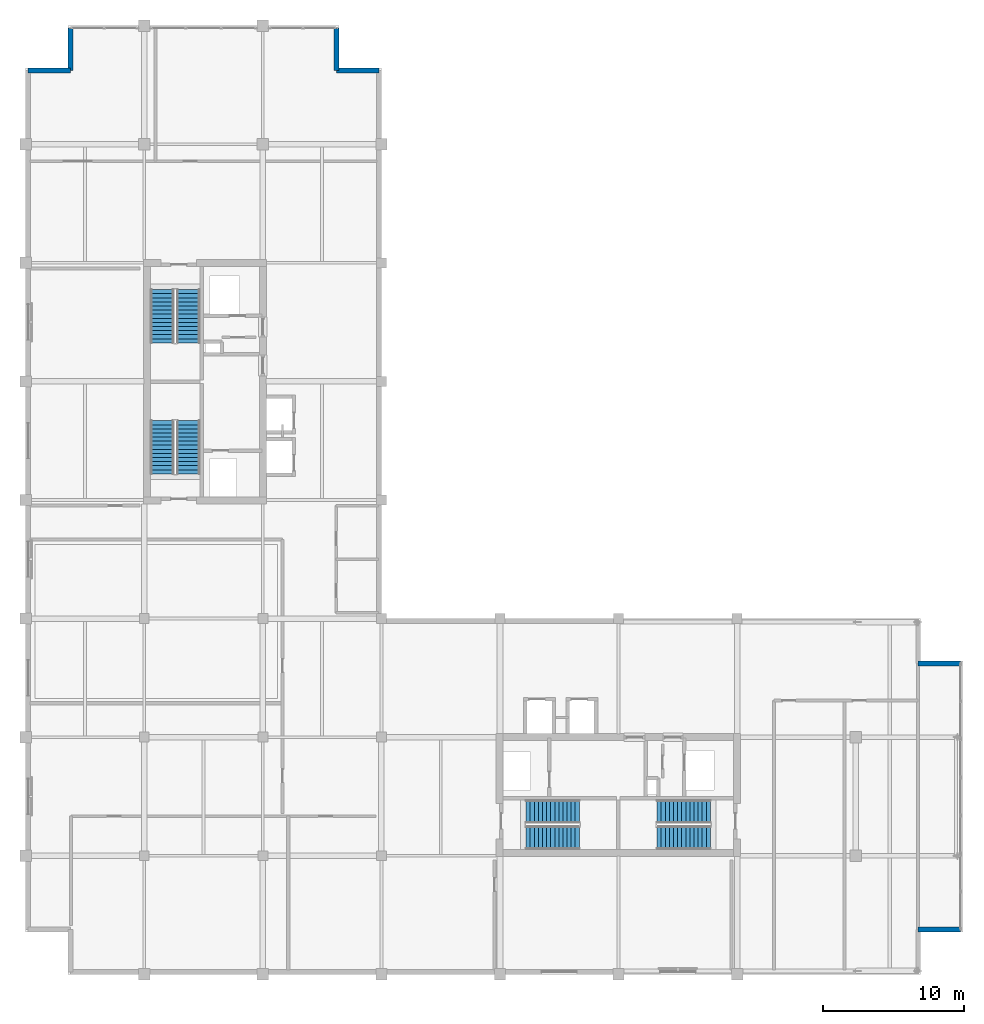
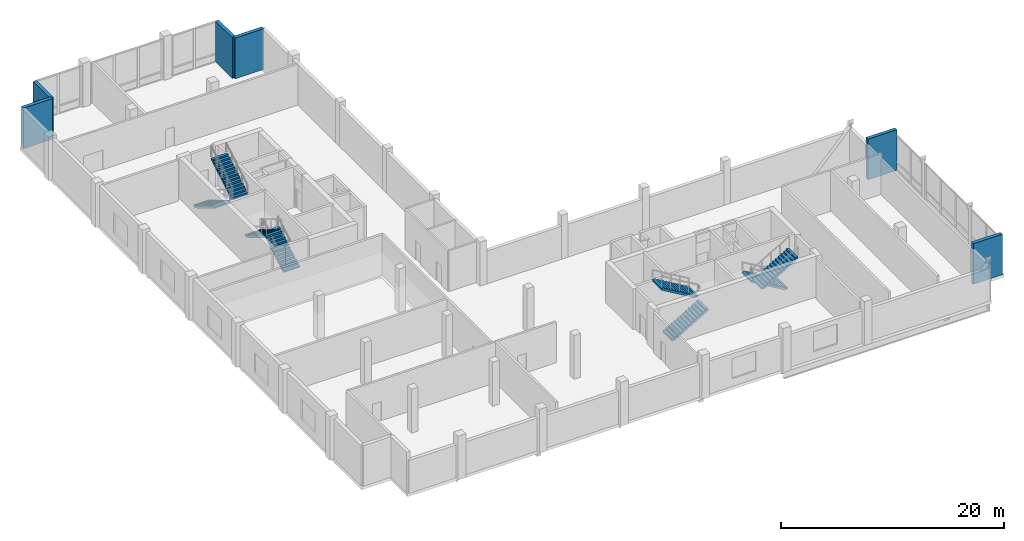
# One storey, part 14 of 18: 8 stair flights, 6 walls, 4 elements without a shape of their own.
"""IFC4 building model written with IfcOpenShell, lengths in metres."""

from ifc_helpers import new_model, si_unit, direction, frame, frame_2d, origin, place, context, subcontext, project, spatial, polyline, rectangle, outline, extrude, material, layer, layer_set, type_object, element, aggregate, save


model = new_model("IFC4")

# Units and contexts
model_context = context("Model", 3, precision=1e-05, world=origin(), true_north=direction((0.0, 1.0)))
body_context = subcontext(model_context, "Body", "Model", "MODEL_VIEW")
ifc_project = project(units=[si_unit("LENGTHUNIT", "METRE"), si_unit("AREAUNIT", "SQUARE_METRE"), si_unit("VOLUMEUNIT", "CUBIC_METRE"), si_unit("PLANEANGLEUNIT", "RADIAN"), si_unit("MASSUNIT", "GRAM", prefix="KILO")], contexts=[model_context])

# Site, building, storey
site_placement = place(None, origin())
site = spatial("IfcSite", under=ifc_project, at=site_placement, CompositionType="ELEMENT")
building_placement = place(site_placement, origin())
building = spatial("IfcBuilding", under=site, at=building_placement, Name="Koriwani Terraces Tower", CompositionType="ELEMENT")
storey_placement = place(building_placement, frame((0.0, 0.0, 363.800048828125)))
storey = spatial("IfcBuildingStorey", under=building, at=storey_placement, Name="L90", CompositionType="ELEMENT", Elevation=363.800048828125)

# Walls
ifc_material_1 = material(Name="Concrete C50/60", Category="concrete")
ifc_layer = layer(ifc_material_1, 0.35009765625, Name="Concrete C50/60")
ifc_layer_set = layer_set([ifc_layer], Name="Concrete C50/60")
wall_type = type_object("IfcWallType", Name="WALL_EXT_BRUTALIST_350", PredefinedType="STANDARD", material=ifc_layer_set)
for number, where, z_axis, x_axis, name in (
    (1, (8.574951171875, 72.425048828125, 0.0), (0.0, 0.0, 1.0), (1.0, 0.0, 0.0), "L90 Fair-Faced Brutalist Exterior Wall (N3)"),
    (2, (11.574951171875, 72.425048828125, 0.0), (0.0, 0.0, 1.0), (0.0, 1.0, 0.0), "L90 Fair-Faced Brutalist Exterior Wall (N4)"),
    (3, (30.425048828125, 75.425048828125, 0.0), (0.0, 0.0, 1.0), (0.0, -1.0, 0.0), "L90 Fair-Faced Brutalist Exterior Wall (N6)"),
    (4, (30.425048828125, 72.425048828125, 0.0), (0.0, 0.0, 1.0), (1.0, 0.0, 0.0), "L90 Fair-Faced Brutalist Exterior Wall (N7)"),
    (5, (71.625, 30.425048828125, 0.0), (0.0, 0.0, 1.0), (1.0, 0.0, 0.0), "L90 Fair-Faced Brutalist Exterior Wall (N11)"),
    (6, (74.625, 11.574951171875, 0.0), (0.0, 0.0, 1.0), (-1.0, 0.0, 0.0), "L90 Fair-Faced Brutalist Exterior Wall (N13)"),
):
    element("IfcWall", number, at=place(storey_placement, frame(where, z_axis=z_axis, x_axis=x_axis)), inside=storey, type_object=wall_type, Name=name, PredefinedType="STANDARD", context=body_context, shape_type="SweptSolid", body=[
        extrude(rectangle(XDim=3.0, YDim=0.35009765625, at=frame_2d((1.5, 0.0))), origin(), (0.0, 0.0, 1.0), 4.449951171875),
    ])

# Stair, stair flights
ifc_material_2 = material(Name="Concrete C40/50", Category="concrete")
stair_type = type_object("IfcStairType", Name="STAIR_CORE_DOGLEG_1650", PredefinedType="TWO_STRAIGHT_RUN_STAIR", material=ifc_material_2)
stair_1_placement = place(storey_placement, origin())
stair_1 = element("IfcStair", 7, at=stair_1_placement, inside=storey, type_object=stair_type, Name="L90 West Core Exit Stair 1", PredefinedType="HALF_TURN_STAIR")
stair_flight_type = type_object("IfcStairFlightType", Name="STAIR_FLIGHT_RC_1650", PredefinedType="STRAIGHT", material=ifc_material_2)
stair_flight_1_placement = place(storey_placement, frame((19.925048828125, 43.85009765625, 0.0), z_axis=(0.0, 0.0, 1.0), x_axis=(0.0, 1.0, 0.0)))
stair_flight_1 = element("IfcStairFlight", 8, at=stair_flight_1_placement, type_object=stair_flight_type, Name="ST-W1 flight 1", NumberOfRisers=14, NumberOfTreads=13, PredefinedType="STRAIGHT", RiserHeight=0.171428571, TreadLength=0.29, context=body_context, shape_type="SweptSolid", body=[
    extrude(outline(polyline([(0.0, 0.0), (0.0, 0.17138671875), (0.2900390625, 0.17138671875), (0.2900390625, 0.3427734375), (0.580078125, 0.3427734375), (0.580078125, 0.514404296875), (0.8701171875, 0.514404296875), (0.8701171875, 0.685791015625), (1.159912109375, 0.685791015625), (1.159912109375, 0.857177734375), (1.449951171875, 0.857177734375), (1.449951171875, 1.028564453125), (1.739990234375, 1.028564453125), (1.739990234375, 1.199951171875), (2.030029296875, 1.199951171875), (2.030029296875, 1.371337890625), (2.320068359375, 1.371337890625), (2.320068359375, 1.54296875), (2.610107421875, 1.54296875), (2.610107421875, 1.71435546875), (2.89990234375, 1.71435546875), (2.89990234375, 1.8857421875), (3.18994140625, 1.8857421875), (3.18994140625, 2.05712890625), (3.47998046875, 2.05712890625), (3.47998046875, 2.228515625), (3.77001953125, 2.228515625), (3.77001953125, 2.39990234375), (3.77001953125, 2.01953125), (0.353515625, 0.0), (0.0, 0.0)])), frame((0.0, 0.824951171875, 0.0), z_axis=(0.0, -1.0, 0.0), x_axis=(1.0, 0.0, 0.0)), (0.0, 0.0, 1.0), 1.64990234375),
])
stair_flight_2_placement = place(storey_placement, frame((18.074951171875, 47.6201171875, 2.39990234375), z_axis=(0.0, 0.0, 1.0), x_axis=(0.0, -1.0, 0.0)))
stair_flight_2 = element("IfcStairFlight", 9, at=stair_flight_2_placement, type_object=stair_flight_type, Name="ST-W1 flight 2", NumberOfRisers=14, NumberOfTreads=13, PredefinedType="STRAIGHT", RiserHeight=0.171428571, TreadLength=0.29, context=body_context, shape_type="SweptSolid", body=[
    extrude(outline(polyline([(0.0, 0.0), (0.0, 0.17138671875), (0.2900390625, 0.17138671875), (0.2900390625, 0.3427734375), (0.580078125, 0.3427734375), (0.580078125, 0.514404296875), (0.8701171875, 0.514404296875), (0.8701171875, 0.685791015625), (1.159912109375, 0.685791015625), (1.159912109375, 0.857177734375), (1.449951171875, 0.857177734375), (1.449951171875, 1.028564453125), (1.739990234375, 1.028564453125), (1.739990234375, 1.199951171875), (2.030029296875, 1.199951171875), (2.030029296875, 1.371337890625), (2.320068359375, 1.371337890625), (2.320068359375, 1.54296875), (2.610107421875, 1.54296875), (2.610107421875, 1.71435546875), (2.89990234375, 1.71435546875), (2.89990234375, 1.8857421875), (3.18994140625, 1.8857421875), (3.18994140625, 2.05712890625), (3.47998046875, 2.05712890625), (3.47998046875, 2.228515625), (3.77001953125, 2.228515625), (3.77001953125, 2.39990234375), (3.77001953125, 2.01953125), (0.353515625, 0.0), (0.0, 0.0)])), frame((0.0, 0.824951171875, 0.0), z_axis=(0.0, -1.0, 0.0), x_axis=(1.0, 0.0, 0.0)), (0.0, 0.0, 1.0), 1.64990234375),
])
aggregate(stair_1, [stair_flight_1, stair_flight_2])

stair_2_placement = place(storey_placement, origin())
stair_2 = element("IfcStair", 10, at=stair_2_placement, inside=storey, type_object=stair_type, Name="L90 West Core Exit Stair 2", PredefinedType="HALF_TURN_STAIR")
stair_flight_3_placement = place(storey_placement, frame((18.074951171875, 56.89990234375, 0.0), z_axis=(0.0, 0.0, 1.0), x_axis=(0.0, -1.0, 0.0)))
stair_flight_3 = element("IfcStairFlight", 11, at=stair_flight_3_placement, type_object=stair_flight_type, Name="ST-W2 flight 1", NumberOfRisers=14, NumberOfTreads=13, PredefinedType="STRAIGHT", RiserHeight=0.171428571, TreadLength=0.29, context=body_context, shape_type="SweptSolid", body=[
    extrude(outline(polyline([(0.0, 0.0), (0.0, 0.17138671875), (0.2900390625, 0.17138671875), (0.2900390625, 0.3427734375), (0.580078125, 0.3427734375), (0.580078125, 0.514404296875), (0.8701171875, 0.514404296875), (0.8701171875, 0.685791015625), (1.159912109375, 0.685791015625), (1.159912109375, 0.857177734375), (1.449951171875, 0.857177734375), (1.449951171875, 1.028564453125), (1.739990234375, 1.028564453125), (1.739990234375, 1.199951171875), (2.030029296875, 1.199951171875), (2.030029296875, 1.371337890625), (2.320068359375, 1.371337890625), (2.320068359375, 1.54296875), (2.610107421875, 1.54296875), (2.610107421875, 1.71435546875), (2.89990234375, 1.71435546875), (2.89990234375, 1.8857421875), (3.18994140625, 1.8857421875), (3.18994140625, 2.05712890625), (3.47998046875, 2.05712890625), (3.47998046875, 2.228515625), (3.77001953125, 2.228515625), (3.77001953125, 2.39990234375), (3.77001953125, 2.01953125), (0.353515625, 0.0), (0.0, 0.0)])), frame((0.0, 0.824951171875, 0.0), z_axis=(0.0, -1.0, 0.0), x_axis=(1.0, 0.0, 0.0)), (0.0, 0.0, 1.0), 1.64990234375),
])
stair_flight_4_placement = place(storey_placement, frame((19.925048828125, 53.1298828125, 2.39990234375), z_axis=(0.0, 0.0, 1.0), x_axis=(0.0, 1.0, 0.0)))
stair_flight_4 = element("IfcStairFlight", 12, at=stair_flight_4_placement, type_object=stair_flight_type, Name="ST-W2 flight 2", NumberOfRisers=14, NumberOfTreads=13, PredefinedType="STRAIGHT", RiserHeight=0.171428571, TreadLength=0.29, context=body_context, shape_type="SweptSolid", body=[
    extrude(outline(polyline([(0.0, 0.0), (0.0, 0.17138671875), (0.2900390625, 0.17138671875), (0.2900390625, 0.3427734375), (0.580078125, 0.3427734375), (0.580078125, 0.514404296875), (0.8701171875, 0.514404296875), (0.8701171875, 0.685791015625), (1.159912109375, 0.685791015625), (1.159912109375, 0.857177734375), (1.449951171875, 0.857177734375), (1.449951171875, 1.028564453125), (1.739990234375, 1.028564453125), (1.739990234375, 1.199951171875), (2.030029296875, 1.199951171875), (2.030029296875, 1.371337890625), (2.320068359375, 1.371337890625), (2.320068359375, 1.54296875), (2.610107421875, 1.54296875), (2.610107421875, 1.71435546875), (2.89990234375, 1.71435546875), (2.89990234375, 1.8857421875), (3.18994140625, 1.8857421875), (3.18994140625, 2.05712890625), (3.47998046875, 2.05712890625), (3.47998046875, 2.228515625), (3.77001953125, 2.228515625), (3.77001953125, 2.39990234375), (3.77001953125, 2.01953125), (0.353515625, 0.0), (0.0, 0.0)])), frame((0.0, 0.824951171875, 0.0), z_axis=(0.0, -1.0, 0.0), x_axis=(1.0, 0.0, 0.0)), (0.0, 0.0, 1.0), 1.64990234375),
])
aggregate(stair_2, [stair_flight_3, stair_flight_4])

stair_3_placement = place(storey_placement, origin())
stair_3 = element("IfcStair", 13, at=stair_3_placement, inside=storey, type_object=stair_type, Name="L90 East Core Exit Stair 1", PredefinedType="HALF_TURN_STAIR")
stair_flight_5_placement = place(storey_placement, frame((43.85009765625, 18.074951171875, 0.0), z_axis=(0.0, 0.0, 1.0), x_axis=(1.0, 0.0, 0.0)))
stair_flight_5 = element("IfcStairFlight", 14, at=stair_flight_5_placement, type_object=stair_flight_type, Name="ST-E1 flight 1", NumberOfRisers=14, NumberOfTreads=13, PredefinedType="STRAIGHT", RiserHeight=0.171428571, TreadLength=0.29, context=body_context, shape_type="SweptSolid", body=[
    extrude(outline(polyline([(0.0, 0.0), (0.0, 0.17138671875), (0.2900390625, 0.17138671875), (0.2900390625, 0.3427734375), (0.580078125, 0.3427734375), (0.580078125, 0.514404296875), (0.8701171875, 0.514404296875), (0.8701171875, 0.685791015625), (1.159912109375, 0.685791015625), (1.159912109375, 0.857177734375), (1.449951171875, 0.857177734375), (1.449951171875, 1.028564453125), (1.739990234375, 1.028564453125), (1.739990234375, 1.199951171875), (2.030029296875, 1.199951171875), (2.030029296875, 1.371337890625), (2.320068359375, 1.371337890625), (2.320068359375, 1.54296875), (2.610107421875, 1.54296875), (2.610107421875, 1.71435546875), (2.89990234375, 1.71435546875), (2.89990234375, 1.8857421875), (3.18994140625, 1.8857421875), (3.18994140625, 2.05712890625), (3.47998046875, 2.05712890625), (3.47998046875, 2.228515625), (3.77001953125, 2.228515625), (3.77001953125, 2.39990234375), (3.77001953125, 2.01953125), (0.353515625, 0.0), (0.0, 0.0)])), frame((0.0, 0.824951171875, 0.0), z_axis=(0.0, -1.0, 0.0), x_axis=(1.0, 0.0, 0.0)), (0.0, 0.0, 1.0), 1.64990234375),
])
stair_flight_6_placement = place(storey_placement, frame((47.6201171875, 19.925048828125, 2.39990234375), z_axis=(0.0, 0.0, 1.0), x_axis=(-1.0, 0.0, 0.0)))
stair_flight_6 = element("IfcStairFlight", 15, at=stair_flight_6_placement, type_object=stair_flight_type, Name="ST-E1 flight 2", NumberOfRisers=14, NumberOfTreads=13, PredefinedType="STRAIGHT", RiserHeight=0.171428571, TreadLength=0.29, context=body_context, shape_type="SweptSolid", body=[
    extrude(outline(polyline([(0.0, 0.0), (0.0, 0.17138671875), (0.2900390625, 0.17138671875), (0.2900390625, 0.3427734375), (0.580078125, 0.3427734375), (0.580078125, 0.514404296875), (0.8701171875, 0.514404296875), (0.8701171875, 0.685791015625), (1.159912109375, 0.685791015625), (1.159912109375, 0.857177734375), (1.449951171875, 0.857177734375), (1.449951171875, 1.028564453125), (1.739990234375, 1.028564453125), (1.739990234375, 1.199951171875), (2.030029296875, 1.199951171875), (2.030029296875, 1.371337890625), (2.320068359375, 1.371337890625), (2.320068359375, 1.54296875), (2.610107421875, 1.54296875), (2.610107421875, 1.71435546875), (2.89990234375, 1.71435546875), (2.89990234375, 1.8857421875), (3.18994140625, 1.8857421875), (3.18994140625, 2.05712890625), (3.47998046875, 2.05712890625), (3.47998046875, 2.228515625), (3.77001953125, 2.228515625), (3.77001953125, 2.39990234375), (3.77001953125, 2.01953125), (0.353515625, 0.0), (0.0, 0.0)])), frame((0.0, 0.824951171875, 0.0), z_axis=(0.0, -1.0, 0.0), x_axis=(1.0, 0.0, 0.0)), (0.0, 0.0, 1.0), 1.64990234375),
])
aggregate(stair_3, [stair_flight_5, stair_flight_6])

stair_4_placement = place(storey_placement, origin())
stair_4 = element("IfcStair", 16, at=stair_4_placement, inside=storey, type_object=stair_type, Name="L90 East Core Exit Stair 2", PredefinedType="HALF_TURN_STAIR")
stair_flight_7_placement = place(storey_placement, frame((56.89990234375, 19.925048828125, 0.0), z_axis=(0.0, 0.0, 1.0), x_axis=(-1.0, 0.0, 0.0)))
stair_flight_7 = element("IfcStairFlight", 17, at=stair_flight_7_placement, type_object=stair_flight_type, Name="ST-E2 flight 1", NumberOfRisers=14, NumberOfTreads=13, PredefinedType="STRAIGHT", RiserHeight=0.171428571, TreadLength=0.29, context=body_context, shape_type="SweptSolid", body=[
    extrude(outline(polyline([(0.0, 0.0), (0.0, 0.17138671875), (0.2900390625, 0.17138671875), (0.2900390625, 0.3427734375), (0.580078125, 0.3427734375), (0.580078125, 0.514404296875), (0.8701171875, 0.514404296875), (0.8701171875, 0.685791015625), (1.159912109375, 0.685791015625), (1.159912109375, 0.857177734375), (1.449951171875, 0.857177734375), (1.449951171875, 1.028564453125), (1.739990234375, 1.028564453125), (1.739990234375, 1.199951171875), (2.030029296875, 1.199951171875), (2.030029296875, 1.371337890625), (2.320068359375, 1.371337890625), (2.320068359375, 1.54296875), (2.610107421875, 1.54296875), (2.610107421875, 1.71435546875), (2.89990234375, 1.71435546875), (2.89990234375, 1.8857421875), (3.18994140625, 1.8857421875), (3.18994140625, 2.05712890625), (3.47998046875, 2.05712890625), (3.47998046875, 2.228515625), (3.77001953125, 2.228515625), (3.77001953125, 2.39990234375), (3.77001953125, 2.01953125), (0.353515625, 0.0), (0.0, 0.0)])), frame((0.0, 0.824951171875, 0.0), z_axis=(0.0, -1.0, 0.0), x_axis=(1.0, 0.0, 0.0)), (0.0, 0.0, 1.0), 1.64990234375),
])
stair_flight_8_placement = place(storey_placement, frame((53.1298828125, 18.074951171875, 2.39990234375), z_axis=(0.0, 0.0, 1.0), x_axis=(1.0, 0.0, 0.0)))
stair_flight_8 = element("IfcStairFlight", 18, at=stair_flight_8_placement, type_object=stair_flight_type, Name="ST-E2 flight 2", NumberOfRisers=14, NumberOfTreads=13, PredefinedType="STRAIGHT", RiserHeight=0.171428571, TreadLength=0.29, context=body_context, shape_type="SweptSolid", body=[
    extrude(outline(polyline([(0.0, 0.0), (0.0, 0.17138671875), (0.2900390625, 0.17138671875), (0.2900390625, 0.3427734375), (0.580078125, 0.3427734375), (0.580078125, 0.514404296875), (0.8701171875, 0.514404296875), (0.8701171875, 0.685791015625), (1.159912109375, 0.685791015625), (1.159912109375, 0.857177734375), (1.449951171875, 0.857177734375), (1.449951171875, 1.028564453125), (1.739990234375, 1.028564453125), (1.739990234375, 1.199951171875), (2.030029296875, 1.199951171875), (2.030029296875, 1.371337890625), (2.320068359375, 1.371337890625), (2.320068359375, 1.54296875), (2.610107421875, 1.54296875), (2.610107421875, 1.71435546875), (2.89990234375, 1.71435546875), (2.89990234375, 1.8857421875), (3.18994140625, 1.8857421875), (3.18994140625, 2.05712890625), (3.47998046875, 2.05712890625), (3.47998046875, 2.228515625), (3.77001953125, 2.228515625), (3.77001953125, 2.39990234375), (3.77001953125, 2.01953125), (0.353515625, 0.0), (0.0, 0.0)])), frame((0.0, 0.824951171875, 0.0), z_axis=(0.0, -1.0, 0.0), x_axis=(1.0, 0.0, 0.0)), (0.0, 0.0, 1.0), 1.64990234375),
])
aggregate(stair_4, [stair_flight_7, stair_flight_8])

save(model, "model.ifc")
